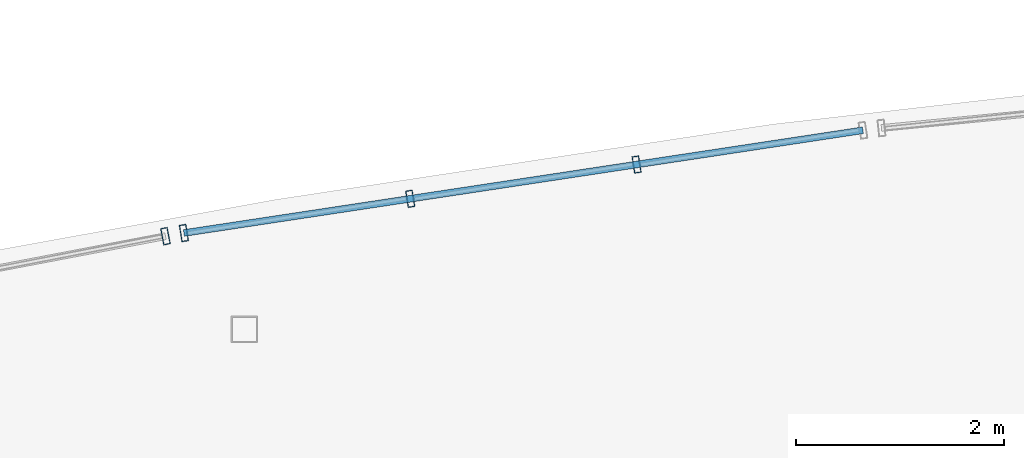
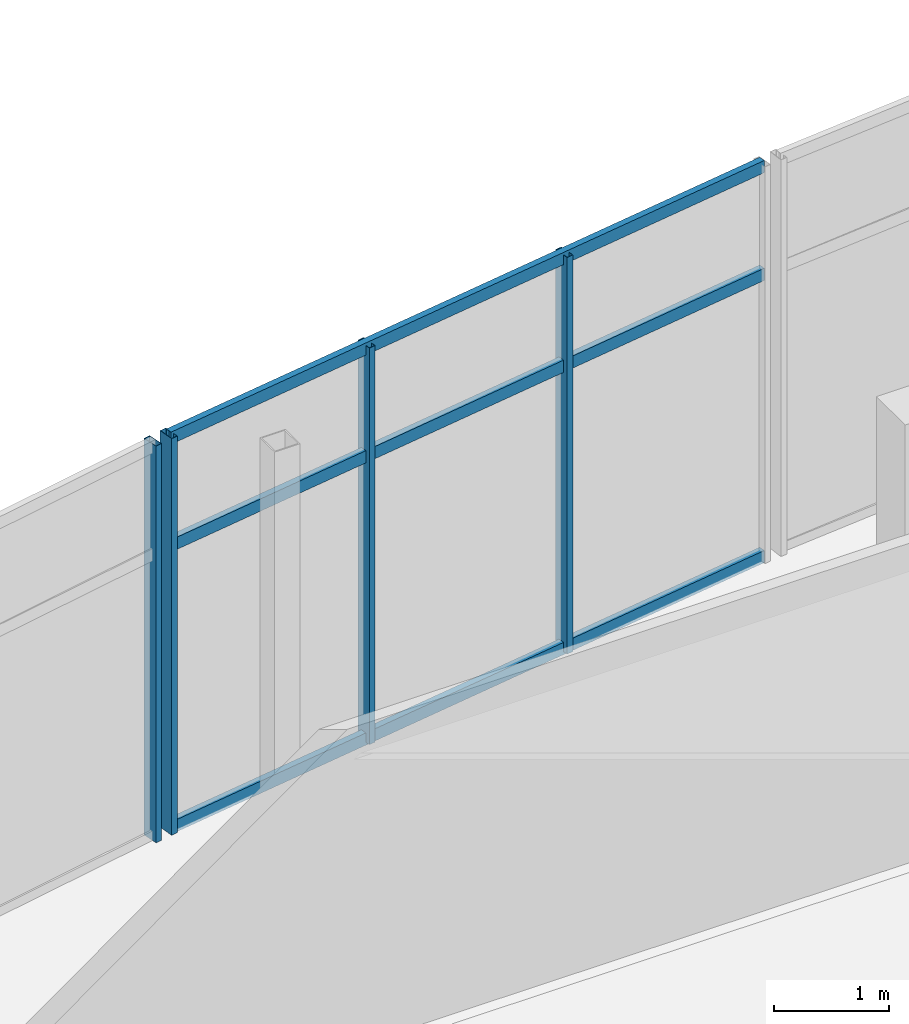
# One storey, part 69 of 114: 7 members, 2 elements without a shape of their own.
"""IFC4 building model written with IfcOpenShell, lengths in metres."""

import ifcopenshell
import ifcopenshell.guid

model = None  # the IFC model being written
_history = None  # IfcOwnerHistory: only IFC2X3 demands one
_inside = {}  # id of a spatial element -> (the spatial element, [elements in it])
_under = {}  # id of a project, library or spatial element -> (it, [spatial elements below it])
_declared = {}  # id of a project -> (the project, [libraries it declares])
_typed = {}  # id of a type object -> (the type object, [elements of that type])
_made_of = {}  # id of a material, layer set ... -> (it, [elements and type objects made of it])


def new_model(schema):
    """Start an empty IFC model of exactly this schema.

    Asked for "IFC4X3", IfcOpenShell would pick the latest addendum, in which some entities
    have other attributes; the version numbers below select the first issue.
    IFC2X3 requires an IfcOwnerHistory on every rooted entity: one is made here for all.
    """
    global model, _history
    if schema == "IFC4X3":
        model = ifcopenshell.file(schema_version=(4, 3, 0, 0))
    else:
        model = ifcopenshell.file(schema=schema)
    _inside.clear()
    _under.clear()
    _declared.clear()
    _typed.clear()
    _made_of.clear()
    _history = None
    if model.schema == "IFC2X3":
        org = make("IfcOrganization", Name="unknown")
        user = make(
            "IfcPersonAndOrganization",
            ThePerson=make("IfcPerson", FamilyName="unknown"),
            TheOrganization=org,
        )
        app = make(
            "IfcApplication",
            ApplicationDeveloper=org,
            Version="unknown",
            ApplicationFullName="unknown",
            ApplicationIdentifier="unknown",
        )
        _history = make(
            "IfcOwnerHistory",
            OwningUser=user,
            OwningApplication=app,
            ChangeAction="ADDED",
            CreationDate=0,
        )
    return model


def make(cls, **values):
    """One entity of the class cls with the attributes given. An attribute that is None is left unset."""
    return model.create_entity(
        cls, **{name: value for name, value in values.items() if value is not None}
    )


def rooted(cls, **values):
    """An entity with a GlobalId (a new one), such as an element, a storey or a relation."""
    return make(cls, GlobalId=ifcopenshell.guid.new(), OwnerHistory=_history, **values)


def si_unit(unit_type, name, prefix=None):
    """IfcSIUnit, for example si_unit("LENGTHUNIT", "METRE", prefix="MILLI")."""
    return make("IfcSIUnit", UnitType=unit_type, Prefix=prefix, Name=name)


def assignment(units):
    """IfcUnitAssignment: the units of a project."""
    return None if units is None else make("IfcUnitAssignment", Units=units)


def point(xyz):
    """IfcCartesianPoint."""
    return None if xyz is None else make("IfcCartesianPoint", Coordinates=xyz)


def direction(xyz):
    """IfcDirection."""
    return None if xyz is None else make("IfcDirection", DirectionRatios=xyz)


def frame(location, z_axis=None, x_axis=None):
    """IfcAxis2Placement3D, a coordinate frame: its origin and axes. An axis left out is left unset."""
    return make(
        "IfcAxis2Placement3D",
        Location=point(location),
        Axis=direction(z_axis),
        RefDirection=direction(x_axis),
    )


def frame_2d(location, x_axis=None):
    """IfcAxis2Placement2D, a coordinate frame in the plane: its origin and x axis."""
    return make(
        "IfcAxis2Placement2D", Location=point(location), RefDirection=direction(x_axis)
    )


def origin():
    """The frame at (0, 0, 0) with its axes left unset."""
    return frame((0.0, 0.0, 0.0))


def origin_2d():
    """The frame at (0, 0) in the plane with its x axis left unset."""
    return frame_2d((0.0, 0.0))


def place(relative_to, where):
    """IfcLocalPlacement: puts the frame where relative to a parent placement (None: the world)."""
    return make(
        "IfcLocalPlacement", PlacementRelTo=relative_to, RelativePlacement=where
    )


def context(
    kind, dimensions, precision=None, world=None, true_north=None, identifier=None
):
    """IfcGeometricRepresentationContext, for example the 3D "Model" context."""
    return make(
        "IfcGeometricRepresentationContext",
        ContextIdentifier=identifier,
        ContextType=kind,
        CoordinateSpaceDimension=dimensions,
        Precision=precision,
        WorldCoordinateSystem=world,
        TrueNorth=true_north,
    )


def subcontext(parent, identifier, kind, view, scale=None):
    """IfcGeometricRepresentationSubContext, for example "Body" below "Model"."""
    return make(
        "IfcGeometricRepresentationSubContext",
        ContextIdentifier=identifier,
        ContextType=kind,
        ParentContext=parent,
        TargetScale=scale,
        TargetView=view,
    )


def project(units=None, contexts=None):
    """IfcProject with its units and contexts."""
    return rooted(
        "IfcProject",
        Name="project",
        RepresentationContexts=contexts,
        UnitsInContext=assignment(units),
    )


def spatial(cls, under=None, at=None, **own):
    """A site, building, storey or space (cls), placed at a placement, below another one or the project."""
    s = rooted(cls, ObjectPlacement=at, **own)
    if under is not None:
        _under.setdefault(under.id(), (under, []))[1].append(s)
    return s


def profile(cls, at=None, kind="AREA", **sizes):
    """A parametric profile (cls). Its sizes go by their IFC names, for example OverallWidth=200.0."""
    return make(cls, ProfileType=kind, Position=at, **sizes)


def hollow_rectangle(**sizes):
    """IfcRectangleHollowProfileDef."""
    return profile("IfcRectangleHollowProfileDef", **sizes)


def extrude(swept, where, along, depth):
    """IfcExtrudedAreaSolid: the profile swept, set in the frame where, extruded along a direction by depth."""
    return make(
        "IfcExtrudedAreaSolid",
        SweptArea=swept,
        Position=where,
        ExtrudedDirection=direction(along),
        Depth=depth,
    )


def shape(context_of_items, identifier, shape_type, items):
    """IfcShapeRepresentation: the items that make up one representation, for example the "Body"."""
    return make(
        "IfcShapeRepresentation",
        ContextOfItems=context_of_items,
        RepresentationIdentifier=identifier,
        RepresentationType=shape_type,
        Items=items,
    )


def material(Name=None, Category=None):
    """IfcMaterial."""
    return make("IfcMaterial", Name=Name, Category=Category)


def layer(
    of_material, thickness, ventilated=None, Name=None, Category=None, Priority=None
):
    """IfcMaterialLayer: one layer of a wall or slab, of a material (None: an air gap)."""
    return make(
        "IfcMaterialLayer",
        Material=of_material,
        LayerThickness=thickness,
        IsVentilated=ventilated,
        Name=Name,
        Category=Category,
        Priority=Priority,
    )


def layer_set(layers, Name=None):
    """IfcMaterialLayerSet."""
    return make("IfcMaterialLayerSet", MaterialLayers=layers, LayerSetName=Name)


def material_profile(
    of_material, cross_section, Name=None, Category=None, Priority=None
):
    """IfcMaterialProfile: a cross section and its material."""
    return make(
        "IfcMaterialProfile",
        Name=Name,
        Material=of_material,
        Profile=cross_section,
        Priority=Priority,
        Category=Category,
    )


def profile_set(profiles, Name=None, composite=None):
    """IfcMaterialProfileSet."""
    return make(
        "IfcMaterialProfileSet",
        Name=Name,
        MaterialProfiles=profiles,
        CompositeProfile=composite,
    )


def made_of(thing, what):
    """Note that an element or type object is made of a material, layer set ...; save() writes the relation."""
    if what is not None:
        _made_of.setdefault(what.id(), (what, []))[1].append(thing)
    return thing


def type_object(cls, material=None, **own):
    """A type object (cls), such as IfcWallType, which elements share."""
    return made_of(rooted(cls, **own), material)


def element(
    cls,
    number,
    at=None,
    inside=None,
    cuts=None,
    type_object=None,
    material=None,
    context=None,
    identifier="Body",
    shape_type=None,
    held_by="IfcProductDefinitionShape",
    body=None,
    shapes=None,
    **own,
):
    """One element of the class cls, such as IfcWall. Its Tag is "e" and its number.

    at: its placement. inside: the storey or other place that contains it. cuts: it is an
    opening in that element (IfcRelVoidsElement). A single representation is given by context,
    identifier, shape_type and body (its items); several are given by shapes. held_by: the class
    of the entity that holds the representations. save() writes the other relations.
    """
    e = rooted(cls, Tag="e%d" % number, ObjectPlacement=at, **own)
    if body is not None:
        shapes = [shape(context, identifier, shape_type, body)]
    if shapes is not None:
        e.Representation = make(held_by, Representations=shapes)
    if inside is not None:
        _inside.setdefault(inside.id(), (inside, []))[1].append(e)
    if cuts is not None:
        rooted(
            "IfcRelVoidsElement", RelatingBuildingElement=cuts, RelatedOpeningElement=e
        )
    if type_object is not None:
        _typed.setdefault(type_object.id(), (type_object, []))[1].append(e)
    return made_of(e, material)


def aggregate(whole, parts):
    """IfcRelAggregates: a whole, such as a stair, and the parts it consists of."""
    return rooted("IfcRelAggregates", RelatingObject=whole, RelatedObjects=parts)


def save(model, path):
    """Write the relations noted so far, then the file.

    IfcRelAggregates (storeys below a building ...), IfcRelContainedInSpatialStructure (elements
    in a storey), IfcRelDefinesByType, IfcRelAssociatesMaterial and IfcRelDeclares: one each for
    every whole, place, type object, material and project.
    """
    for whole, parts in _under.values():
        aggregate(whole, parts)
    for where, things in _inside.values():
        rooted(
            "IfcRelContainedInSpatialStructure",
            RelatedElements=things,
            RelatingStructure=where,
        )
    for kind, things in _typed.values():
        rooted("IfcRelDefinesByType", RelatedObjects=things, RelatingType=kind)
    for what, things in _made_of.values():
        rooted("IfcRelAssociatesMaterial", RelatedObjects=things, RelatingMaterial=what)
    for by, libraries in _declared.values():
        rooted("IfcRelDeclares", RelatingContext=by, RelatedDefinitions=libraries)
    model.write(path)


model = new_model("IFC4")

# Units and contexts
model_context = context("Model", 3, precision=1e-05, world=origin(), true_north=direction((0.0, 1.0)))
body_context = subcontext(model_context, "Body", "Model", "MODEL_VIEW")
ifc_project = project(units=[si_unit("LENGTHUNIT", "METRE"), si_unit("AREAUNIT", "SQUARE_METRE"), si_unit("VOLUMEUNIT", "CUBIC_METRE"), si_unit("PLANEANGLEUNIT", "RADIAN"), si_unit("MASSUNIT", "GRAM", prefix="KILO")], contexts=[model_context])

# Site, building, storey
site_placement = place(None, origin())
site = spatial("IfcSite", under=ifc_project, at=site_placement, CompositionType="ELEMENT")
building_placement = place(site_placement, origin())
building = spatial("IfcBuilding", under=site, at=building_placement, Name="Chalmorin Arch Market", CompositionType="ELEMENT")
storey_placement = place(building_placement, frame((0.0, 0.0, 9.60009765625)))
storey = spatial("IfcBuildingStorey", under=building, at=storey_placement, Name="L02", CompositionType="ELEMENT", Elevation=9.60009765625)

# Curtain wall, member
ifc_material = material(Name="Aluminium 6063-T6", Category="aluminium")
ifc_layer_1 = layer(ifc_material, 0.159912109375)
ifc_layer_set_1 = layer_set([ifc_layer_1], Name="Aluminium 6063-T6")
curtain_wall_type_1 = type_object("IfcCurtainWallType", Name="CulinaryStudioCurtainWall-CW3-6660x4220", PredefinedType="NOTDEFINED", material=ifc_layer_set_1)
curtain_wall_1_placement = place(storey_placement, origin())
curtain_wall_1 = element("IfcCurtainWall", 1, at=curtain_wall_1_placement, inside=storey, type_object=curtain_wall_type_1, Name="CW-03-125", PredefinedType="NOTDEFINED")
ifc_material_profile_1 = material_profile(ifc_material, hollow_rectangle(XDim=0.06494140625, YDim=0.159912109375, WallThickness=0.00390625, at=origin_2d()), Name="ALU65X160X4")
ifc_profile_set_1 = profile_set([ifc_material_profile_1], Name="Aluminium 6063-T6")
member_type_1 = type_object("IfcMemberType", Name="CurtainWallMullion-65x160", PredefinedType="MULLION", material=ifc_profile_set_1)
member_1_placement = place(storey_placement, frame((61.3515625, 121.1669921875, 0.0), z_axis=(0.0, 0.0, 1.0), x_axis=(0.981627183448, 0.190808995377, 0.0)))
member_1 = element("IfcMember", 2, at=member_1_placement, type_object=member_type_1, Name="ML-125-04", PredefinedType="MULLION", context=body_context, shape_type="SweptSolid", body=[
    extrude(hollow_rectangle(XDim=0.06494140625, YDim=0.159912109375, WallThickness=0.00390625, at=origin_2d()), origin(), (0.0, 0.0, 1.0), 4.219970703125),
])
aggregate(curtain_wall_1, [member_1])

# Curtain wall, members
ifc_layer_2 = layer(ifc_material, 0.159912109375)
ifc_layer_set_2 = layer_set([ifc_layer_2], Name="Aluminium 6063-T6")
curtain_wall_type_2 = type_object("IfcCurtainWallType", Name="CulinaryStudioCurtainWall-CW3-6620x4220", PredefinedType="NOTDEFINED", material=ifc_layer_set_2)
curtain_wall_2_placement = place(storey_placement, origin())
curtain_wall_2 = element("IfcCurtainWall", 3, at=curtain_wall_2_placement, inside=storey, type_object=curtain_wall_type_2, Name="CW-03-128", PredefinedType="NOTDEFINED")
member_2_placement = place(storey_placement, frame((61.529052734375, 121.197509765625, 0.0), z_axis=(0.0, 0.0, 1.0), x_axis=(0.987688340595, 0.15643446504, 0.0)))
member_2 = element("IfcMember", 4, at=member_2_placement, type_object=member_type_1, Name="ML-128-01", PredefinedType="MULLION", context=body_context, shape_type="SweptSolid", body=[
    extrude(hollow_rectangle(XDim=0.06494140625, YDim=0.159912109375, WallThickness=0.00390625, at=origin_2d()), origin(), (0.0, 0.0, 1.0), 4.219970703125),
])
member_3_placement = place(storey_placement, frame((63.709716796875, 121.527587890625, 0.0), z_axis=(0.0, 0.0, 1.0), x_axis=(0.987688340595, 0.15643446504, 0.0)))
member_3 = element("IfcMember", 5, at=member_3_placement, type_object=member_type_1, Name="ML-128-02", PredefinedType="MULLION", context=body_context, shape_type="SweptSolid", body=[
    extrude(hollow_rectangle(XDim=0.06494140625, YDim=0.159912109375, WallThickness=0.00390625, at=origin_2d()), origin(), (0.0, 0.0, 1.0), 4.219970703125),
])
member_4_placement = place(storey_placement, frame((65.890380859375, 121.857421875, 0.0), z_axis=(0.0, 0.0, 1.0), x_axis=(0.987688340595, 0.15643446504, 0.0)))
member_4 = element("IfcMember", 6, at=member_4_placement, type_object=member_type_1, Name="ML-128-03", PredefinedType="MULLION", context=body_context, shape_type="SweptSolid", body=[
    extrude(hollow_rectangle(XDim=0.06494140625, YDim=0.159912109375, WallThickness=0.00390625, at=origin_2d()), origin(), (0.0, 0.0, 1.0), 4.219970703125),
])
ifc_material_profile_2 = material_profile(ifc_material, hollow_rectangle(XDim=0.06494140625, YDim=0.1298828125, WallThickness=0.00390625, at=origin_2d()), Name="ALU65X130X4")
ifc_profile_set_2 = profile_set([ifc_material_profile_2], Name="Aluminium 6063-T6")
member_type_2 = type_object("IfcMemberType", Name="CurtainWallTransom-65x130", PredefinedType="USERDEFINED", material=ifc_profile_set_2)
member_5_placement = place(storey_placement, frame((61.529052734375, 121.197509765625, 0.034912109375), z_axis=(0.988742814157, 0.149625022817, 0.0), x_axis=(-0.149625022817, 0.988742814157, 0.0)))
member_5 = element("IfcMember", 7, at=member_5_placement, type_object=member_type_2, Name="TR-128-01", ObjectType="TRANSOM", PredefinedType="USERDEFINED", context=body_context, shape_type="SweptSolid", body=[
    extrude(hollow_rectangle(XDim=0.06494140625, YDim=0.1298828125, WallThickness=0.00390625, at=origin_2d()), origin(), (0.0, 0.0, 1.0), 6.616455078125),
])
member_6_placement = place(storey_placement, frame((61.529052734375, 121.197509765625, 3.038330078125), z_axis=(0.988742814157, 0.149625022817, 0.0), x_axis=(-0.149625022817, 0.988742814157, 0.0)))
member_6 = element("IfcMember", 8, at=member_6_placement, type_object=member_type_2, Name="TR-128-02", ObjectType="TRANSOM", PredefinedType="USERDEFINED", context=body_context, shape_type="SweptSolid", body=[
    extrude(hollow_rectangle(XDim=0.06494140625, YDim=0.1298828125, WallThickness=0.00390625, at=origin_2d()), origin(), (0.0, 0.0, 1.0), 6.616455078125),
])
member_7_placement = place(storey_placement, frame((61.529052734375, 121.197509765625, 4.184814453125), z_axis=(0.988742814157, 0.149625022817, 0.0), x_axis=(-0.149625022817, 0.988742814157, 0.0)))
member_7 = element("IfcMember", 9, at=member_7_placement, type_object=member_type_2, Name="TR-128-03", ObjectType="TRANSOM", PredefinedType="USERDEFINED", context=body_context, shape_type="SweptSolid", body=[
    extrude(hollow_rectangle(XDim=0.06494140625, YDim=0.1298828125, WallThickness=0.00390625, at=origin_2d()), origin(), (0.0, 0.0, 1.0), 6.616455078125),
])
aggregate(curtain_wall_2, [member_2, member_3, member_4, member_5, member_6, member_7])

save(model, "model.ifc")
